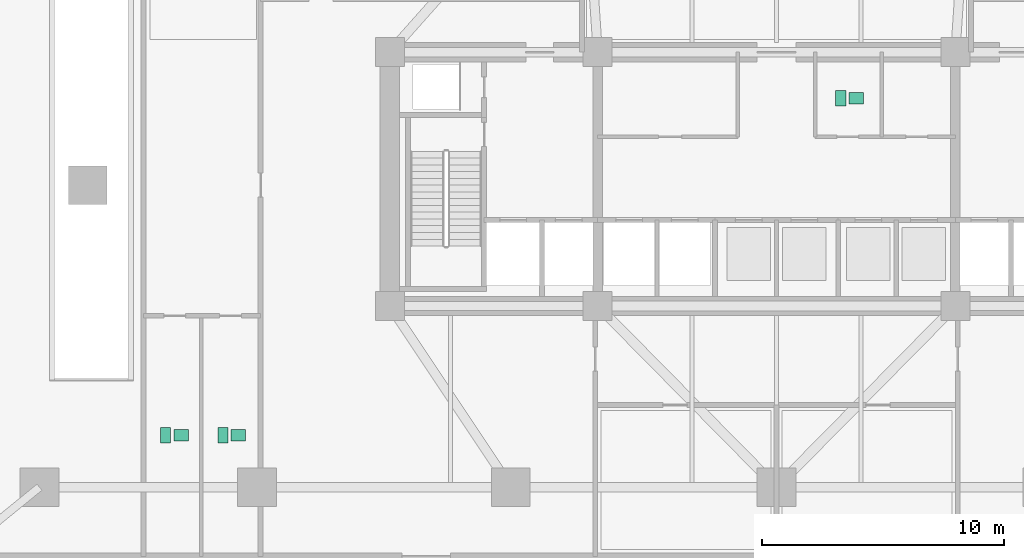
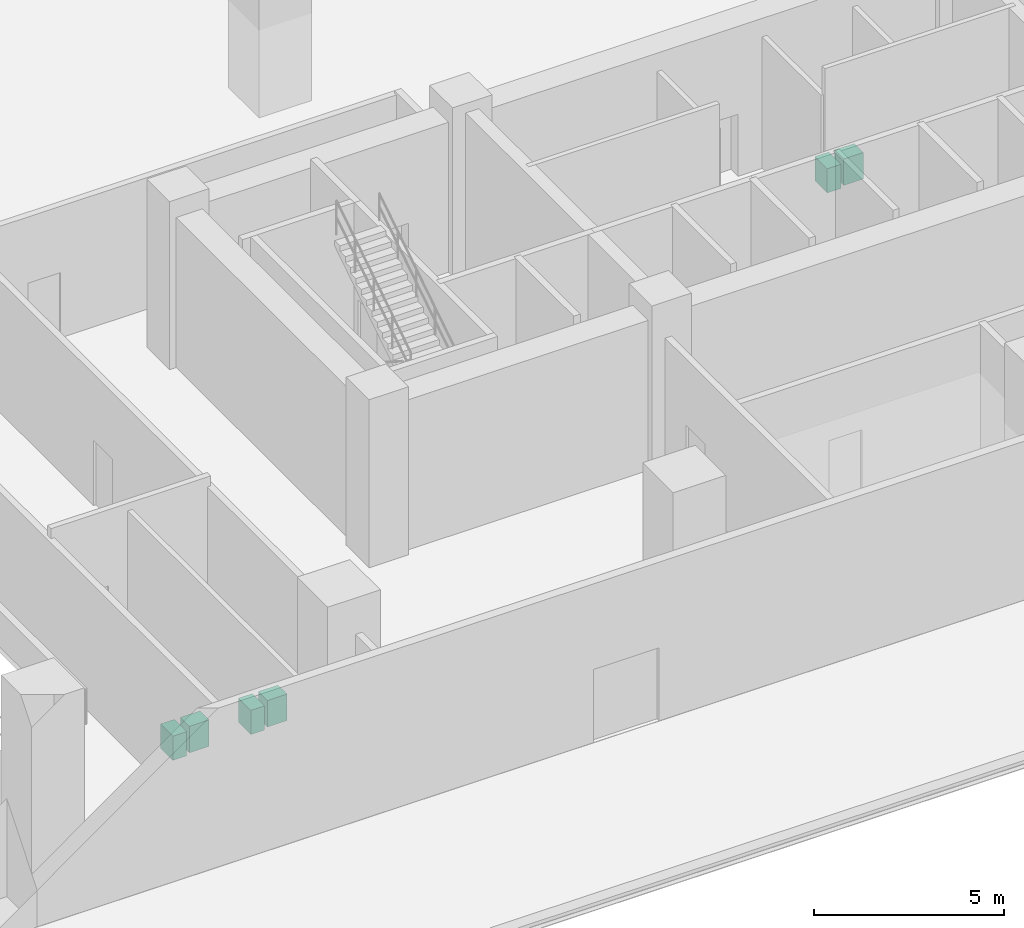
# One storey, part 14 of 15: 6 sanitary terminals.
"""IFC4 building model written with IfcOpenShell, lengths in metres."""

from ifc_helpers import new_model, si_unit, direction, frame, origin, origin_2d, place, context, subcontext, project, spatial, rectangle, extrude, material, type_object, element, save


model = new_model("IFC4")

# Units and contexts
model_context = context("Model", 3, precision=1e-05, world=origin(), true_north=direction((0.0, 1.0)))
body_context = subcontext(model_context, "Body", "Model", "MODEL_VIEW")
ifc_project = project(units=[si_unit("LENGTHUNIT", "METRE"), si_unit("AREAUNIT", "SQUARE_METRE"), si_unit("VOLUMEUNIT", "CUBIC_METRE"), si_unit("PLANEANGLEUNIT", "RADIAN"), si_unit("MASSUNIT", "GRAM", prefix="KILO")], contexts=[model_context])

# Site, building, storey
site_placement = place(None, origin())
site = spatial("IfcSite", under=ifc_project, at=site_placement, CompositionType="ELEMENT")
building_placement = place(site_placement, origin())
building = spatial("IfcBuilding", under=site, at=building_placement, Name="Solmavex Isthmus Hotel", CompositionType="ELEMENT")
storey_placement = place(building_placement, origin())
storey = spatial("IfcBuildingStorey", under=building, at=storey_placement, Name="L01", CompositionType="ELEMENT", Elevation=0.0)

# Sanitary terminals
ifc_material = material(Name="Vitreous china ceramic", Category="ceramic")
sanitary_terminal_type_1 = type_object("IfcSanitaryTerminalType", Name="SAN-BASIN", PredefinedType="WASHHANDBASIN", material=ifc_material)
for number, where, z_axis, x_axis, name in (
    (1, (3.294921875, -4.409912109375, 0.0), (0.0, 0.0, 1.0), (1.0, 0.0, 0.0), "Vanity Washbasin L01-3"),
    (2, (-24.639892578125, -18.35009765625, 0.0), (0.0, 0.0, 1.0), (1.0, 0.0, 0.0), "Vanity Washbasin L01-4"),
    (3, (-22.27001953125, -18.35009765625, 0.0), (0.0, 0.0, 1.0), (1.0, 0.0, 0.0), "Vanity Washbasin L01-5"),
):
    element("IfcSanitaryTerminal", number, at=place(storey_placement, frame(where, z_axis=z_axis, x_axis=x_axis)), inside=storey, type_object=sanitary_terminal_type_1, Name=name, PredefinedType="WASHHANDBASIN", context=body_context, shape_type="SweptSolid", body=[
        extrude(rectangle(XDim=0.60009765625, YDim=0.47998046875, at=origin_2d()), origin(), (0.0, 0.0, 1.0), 0.85009765625),
    ])
sanitary_terminal_type_2 = type_object("IfcSanitaryTerminalType", Name="SAN-WC-SUITE", PredefinedType="TOILETPAN", material=ifc_material)
for number, where, z_axis, x_axis, name in (
    (4, (2.655029296875, -4.409912109375, 0.0), (0.0, 0.0, 1.0), (1.0, 0.0, 0.0), "Water Closet L01-3"),
    (5, (-25.280029296875, -18.35009765625, 0.0), (0.0, 0.0, 1.0), (1.0, 0.0, 0.0), "Water Closet L01-4"),
    (6, (-22.909912109375, -18.35009765625, 0.0), (0.0, 0.0, 1.0), (1.0, 0.0, 0.0), "Water Closet L01-5"),
):
    element("IfcSanitaryTerminal", number, at=place(storey_placement, frame(where, z_axis=z_axis, x_axis=x_axis)), inside=storey, type_object=sanitary_terminal_type_2, Name=name, PredefinedType="TOILETPAN", context=body_context, shape_type="SweptSolid", body=[
        extrude(rectangle(XDim=0.419921875, YDim=0.64990234375, at=origin_2d()), origin(), (0.0, 0.0, 1.0), 0.780029296875),
    ])

save(model, "model.ifc")
